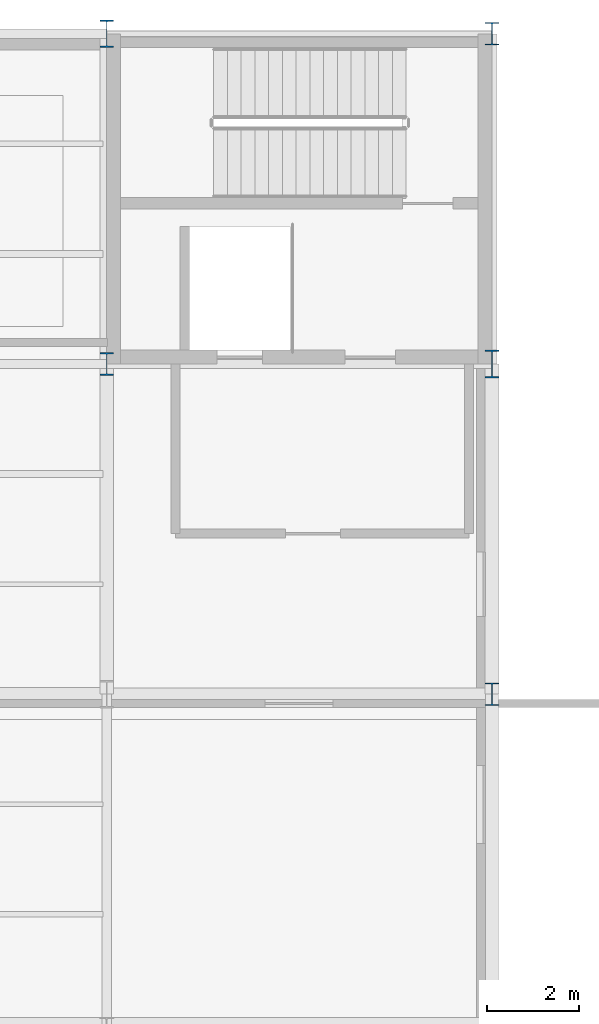
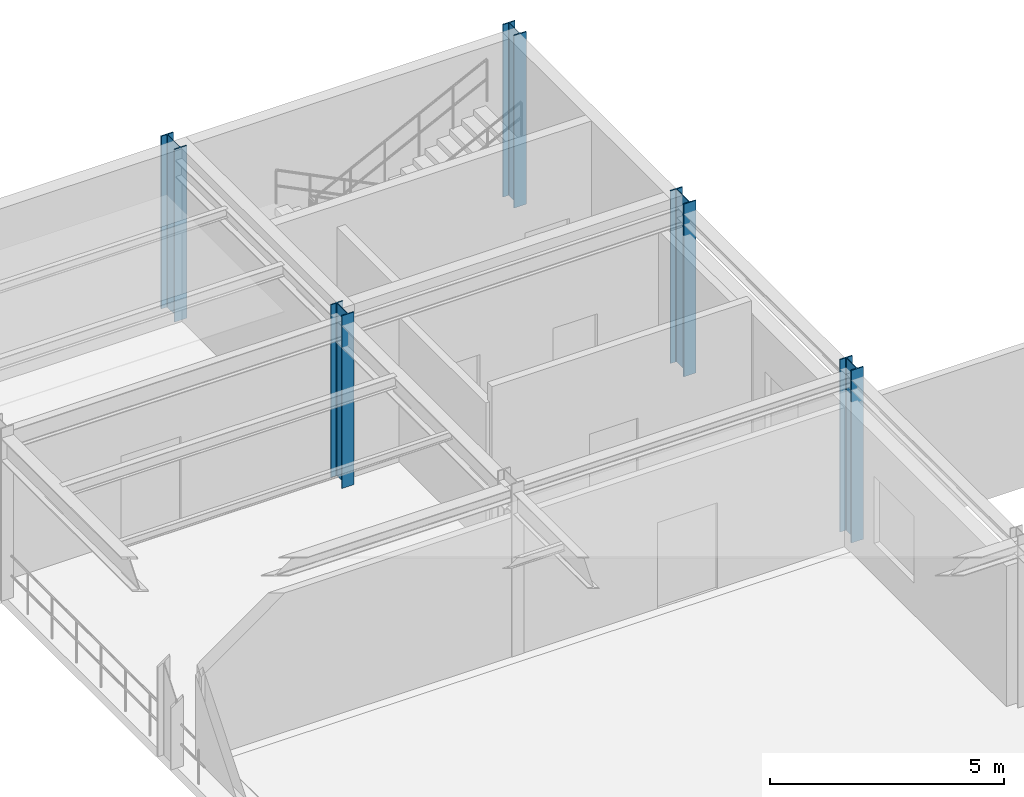
# One storey, part 22 of 106: 5 columns.
"""IFC4 building model written with IfcOpenShell, lengths in metres."""

from ifc_helpers import new_model, si_unit, derived_unit, direction, frame, origin, origin_2d, place, context, subcontext, project, spatial, i_section, extrude, material, material_profile, profile_set, type_object, element, save


model = new_model("IFC4")

# Units and contexts
model_context = context("Model", 3, precision=1e-05, world=origin(), true_north=direction((0.0, 1.0)))
body_context = subcontext(model_context, "Body", "Model", "MODEL_VIEW")
ifc_project = project(units=[si_unit("LENGTHUNIT", "METRE"), si_unit("AREAUNIT", "SQUARE_METRE"), si_unit("VOLUMEUNIT", "CUBIC_METRE"), si_unit("PLANEANGLEUNIT", "RADIAN"), si_unit("MASSUNIT", "GRAM", prefix="KILO"), derived_unit("THERMALTRANSMITTANCEUNIT", [(si_unit("POWERUNIT", "WATT"), 1), (si_unit("AREAUNIT", "SQUARE_METRE"), -1), (si_unit("THERMODYNAMICTEMPERATUREUNIT", "KELVIN"), -1)])], contexts=[model_context])

# Site, building, storey
site_placement = place(None, origin())
site = spatial("IfcSite", under=ifc_project, at=site_placement, CompositionType="ELEMENT")
building_placement = place(site_placement, origin())
building = spatial("IfcBuilding", under=site, at=building_placement, Name="Yasenodar Specialist Clinic", CompositionType="ELEMENT")
storey_placement = place(building_placement, frame((0.0, 0.0, 4.5)))
storey = spatial("IfcBuildingStorey", under=building, at=storey_placement, Name="L01", CompositionType="ELEMENT", Elevation=4.5)

# Columns
ifc_material = material(Name="Steel S355", Category="steel")
ifc_material_profile_1 = material_profile(ifc_material, i_section(OverallWidth=0.300048828125, OverallDepth=0.5, WebThickness=0.014404296875, FlangeThickness=0.028076171875, FilletRadius=0.027099609375, at=origin_2d()), Name="HEB 500")
ifc_profile_set_1 = profile_set([ifc_material_profile_1], Name="Steel S355")
column_type_1 = type_object("IfcColumnType", Name="COL-ST-HEB500", PredefinedType="COLUMN", material=ifc_profile_set_1)
for number, where, z_axis, x_axis, name in (
    (1, (113.39990234375, 104.39990234375, 0.0), (0.0, 0.0, 1.0), (1.0, 0.0, 0.0), "L01 Column V5-135"),
    (2, (121.800048828125, 97.199951171875, 0.0), (0.0, 0.0, 1.0), (1.0, 0.0, 0.0), "L01 Column V5-143"),
    (3, (121.800048828125, 111.60009765625, 0.0), (0.0, 0.0, 1.0), (1.0, 0.0, 0.0), "L01 Column V5-145"),
):
    element("IfcColumn", number, at=place(storey_placement, frame(where, z_axis=z_axis, x_axis=x_axis)), inside=storey, type_object=column_type_1, Name=name, PredefinedType="COLUMN", context=body_context, shape_type="SweptSolid", body=[
        extrude(i_section(OverallWidth=0.300048828125, OverallDepth=0.5, WebThickness=0.014404296875, FlangeThickness=0.028076171875, FilletRadius=0.027099609375, at=origin_2d()), origin(), (0.0, 0.0, 1.0), 4.5),
    ])
ifc_material_profile_2 = material_profile(ifc_material, i_section(OverallWidth=0.300048828125, OverallDepth=0.60009765625, WebThickness=0.015380859375, FlangeThickness=0.030029296875, FilletRadius=0.027099609375, at=origin_2d()), Name="HEB 600")
ifc_profile_set_2 = profile_set([ifc_material_profile_2], Name="Steel S355")
column_type_2 = type_object("IfcColumnType", Name="COL-ST-HEB600", PredefinedType="COLUMN", material=ifc_profile_set_2)
for number, where, z_axis, x_axis, name in (
    (4, (113.39990234375, 111.60009765625, 0.0), (0.0, 0.0, 1.0), (1.0, 0.0, 0.0), "L01 Column V5-136"),
    (5, (121.800048828125, 104.39990234375, 0.0), (0.0, 0.0, 1.0), (1.0, 0.0, 0.0), "L01 Column V5-144"),
):
    element("IfcColumn", number, at=place(storey_placement, frame(where, z_axis=z_axis, x_axis=x_axis)), inside=storey, type_object=column_type_2, Name=name, PredefinedType="COLUMN", context=body_context, shape_type="SweptSolid", body=[
        extrude(i_section(OverallWidth=0.300048828125, OverallDepth=0.60009765625, WebThickness=0.015380859375, FlangeThickness=0.030029296875, FilletRadius=0.027099609375, at=origin_2d()), origin(), (0.0, 0.0, 1.0), 4.5),
    ])

save(model, "model.ifc")
